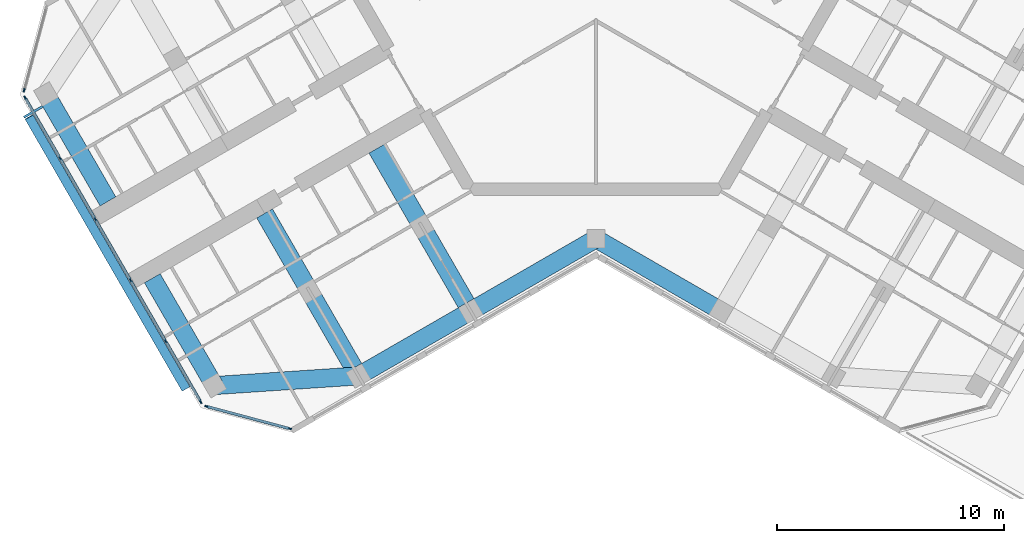
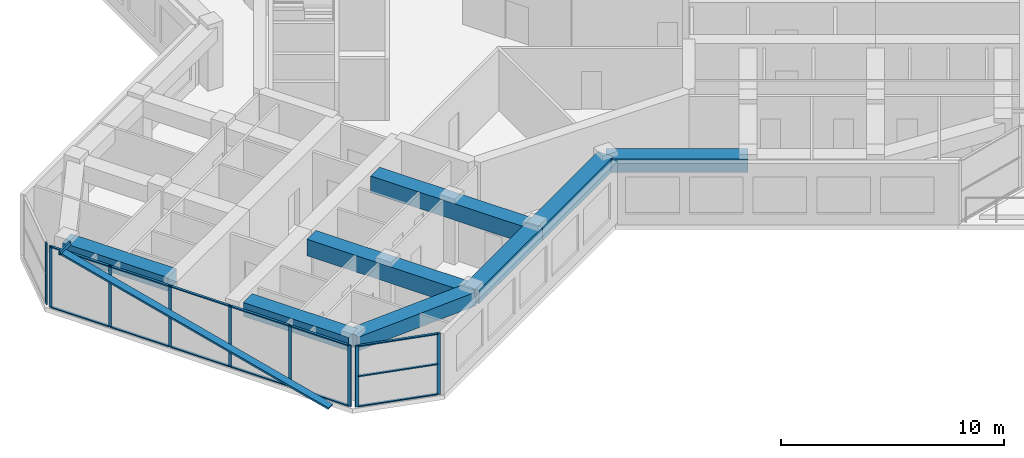
# One storey, part 2 of 14: 24 members, 8 beams, 3 elements without a shape of their own.
"""IFC4 building model written with IfcOpenShell, lengths in metres."""

from ifc_helpers import new_model, si_unit, direction, frame, origin, origin_2d, place, context, subcontext, project, spatial, rectangle, hollow_rectangle, extrude, material, material_profile, profile_set, type_object, element, aggregate, save


model = new_model("IFC4")

# Units and contexts
model_context = context("Model", 3, precision=1e-05, world=origin(), true_north=direction((0.0, 1.0)))
body_context = subcontext(model_context, "Body", "Model", "MODEL_VIEW")
ifc_project = project(units=[si_unit("LENGTHUNIT", "METRE"), si_unit("AREAUNIT", "SQUARE_METRE"), si_unit("VOLUMEUNIT", "CUBIC_METRE"), si_unit("PLANEANGLEUNIT", "RADIAN"), si_unit("MASSUNIT", "GRAM", prefix="KILO")], contexts=[model_context])

# Site, building, storey
site_placement = place(None, origin())
site = spatial("IfcSite", under=ifc_project, at=site_placement, CompositionType="ELEMENT")
building_placement = place(site_placement, origin())
building = spatial("IfcBuilding", under=site, at=building_placement, Name="Kosmar Iwan School Tower", CompositionType="ELEMENT")
storey_placement = place(building_placement, frame((0.0, 0.0, 267.39990234375)))
storey = spatial("IfcBuildingStorey", under=building, at=storey_placement, Name="L67", CompositionType="ELEMENT", Elevation=267.39990234375)

# Members
ifc_material_1 = material(Name="Black anodised aluminium", Category="aluminium")
ifc_material_profile_1 = material_profile(ifc_material_1, rectangle(XDim=0.10009765625, YDim=0.39990234375, at=origin_2d()), Name="FIN 100x400")
ifc_profile_set_1 = profile_set([ifc_material_profile_1], Name="Black anodised aluminium")
member_type_1 = type_object("IfcMemberType", Name="Diagonal fin 100x400", PredefinedType="USERDEFINED", material=ifc_profile_set_1)
member_1_placement = place(storey_placement, frame((-18.0283203125, -18.3740234375, -0.14990234375), z_axis=(-0.483800388566, 0.837965217343, 0.2524905514), x_axis=(0.126245460598, -0.218663124976, 0.96759935999)))
element("IfcMember", 1, at=member_1_placement, inside=storey, type_object=member_type_1, Name="Diagonal fin L67-F13", ObjectType="FIN", PredefinedType="USERDEFINED", context=body_context, shape_type="SweptSolid", body=[
    extrude(rectangle(XDim=0.10009765625, YDim=0.39990234375, at=origin_2d()), origin(), (0.0, 0.0, 1.0), 14.25830078125),
])
ifc_material_2 = material(Name="Steel S355", Category="steel")
ifc_material_profile_2 = material_profile(ifc_material_2, hollow_rectangle(XDim=0.10009765625, YDim=0.199951171875, WallThickness=0.008056640625, at=origin_2d()), Name="RHS 200x100x8")
ifc_profile_set_2 = profile_set([ifc_material_profile_2], Name="Steel S355")
member_type_2 = type_object("IfcMemberType", Name="Fin bracket RHS 200x100", PredefinedType="USERDEFINED", material=ifc_profile_set_2)
member_2_placement = place(storey_placement, frame((-24.327880859375, -5.962890625, 3.47509765625), z_axis=(-0.866100000774, -0.49987077196, 0.0), x_axis=(0.49987077196, -0.866100000774, 0.0)))
element("IfcMember", 2, at=member_2_placement, inside=storey, type_object=member_type_2, Name="Fin bracket L68", ObjectType="FIN BRACKET", PredefinedType="USERDEFINED", context=body_context, shape_type="SweptSolid", body=[
    extrude(hollow_rectangle(XDim=0.10009765625, YDim=0.199951171875, WallThickness=0.008056640625, at=origin_2d()), origin(), (0.0, 0.0, 1.0), 0.949951171875),
])

# Curtain wall, member
ifc_material_3 = material(Name="Dark glass in black aluminium frame", Category="aluminium")
curtain_wall_type_1 = type_object("IfcCurtainWallType", Name="Chamfer curtain wall dark glass", PredefinedType="USERDEFINED", material=ifc_material_3)
curtain_wall_1_placement = place(storey_placement, origin())
curtain_wall_1 = element("IfcCurtainWall", 3, at=curtain_wall_1_placement, inside=storey, type_object=curtain_wall_type_1, Name="Curtain wall L67-F12", ObjectType="FACETED CURTAIN WALL", PredefinedType="USERDEFINED")
ifc_material_4 = material(Name="Black anodised aluminium", Category="aluminium")
ifc_material_profile_3 = material_profile(ifc_material_4, rectangle(XDim=0.06005859375, YDim=0.159912109375, at=origin_2d()), Name="MULLION 60x160")
ifc_profile_set_3 = profile_set([ifc_material_profile_3], Name="Black anodised aluminium")
member_type_3 = type_object("IfcMemberType", Name="Mullion 60x160", PredefinedType="MULLION", material=ifc_profile_set_3)
member_3_placement = place(storey_placement, frame((-25.141845703125, -5.24853515625, 0.0), z_axis=(0.0, 0.0, 1.0), x_axis=(0.965925875495, -0.258818861462, 0.0)))
member_3 = element("IfcMember", 4, at=member_3_placement, type_object=member_type_3, Name="CW2 mullion 2", PredefinedType="MULLION", context=body_context, shape_type="SweptSolid", body=[
    extrude(rectangle(XDim=0.06005859375, YDim=0.159912109375, at=origin_2d()), origin(), (0.0, 0.0, 1.0), 3.35009765625),
])
aggregate(curtain_wall_1, [member_3])

# Curtain wall, members
ifc_material_5 = material(Name="Dark glass in black aluminium frame", Category="aluminium")
curtain_wall_type_2 = type_object("IfcCurtainWallType", Name="Tower curtain wall dark glass", PredefinedType="USERDEFINED", material=ifc_material_5)
curtain_wall_2_placement = place(storey_placement, origin())
curtain_wall_2 = element("IfcCurtainWall", 5, at=curtain_wall_2_placement, inside=storey, type_object=curtain_wall_type_2, Name="Curtain wall L67-F13", ObjectType="UNITISED CURTAIN WALL", PredefinedType="USERDEFINED")
member_4_placement = place(storey_placement, frame((-25.098388671875, -5.578369140625, 0.0), z_axis=(0.0, 0.0, 1.0), x_axis=(0.866025405329, 0.499999997325, 0.0)))
member_4 = element("IfcMember", 6, at=member_4_placement, type_object=member_type_3, Name="CW1 mullion 1", PredefinedType="MULLION", context=body_context, shape_type="SweptSolid", body=[
    extrude(rectangle(XDim=0.06005859375, YDim=0.159912109375, at=origin_2d()), origin(), (0.0, 0.0, 1.0), 3.35009765625),
])
member_5_placement = place(storey_placement, frame((-23.563720703125, -8.236328125, 0.0), z_axis=(0.0, 0.0, 1.0), x_axis=(0.866025405329, 0.499999997325, 0.0)))
member_5 = element("IfcMember", 7, at=member_5_placement, type_object=member_type_3, Name="CW1 mullion 2", PredefinedType="MULLION", context=body_context, shape_type="SweptSolid", body=[
    extrude(rectangle(XDim=0.06005859375, YDim=0.159912109375, at=origin_2d()), origin(), (0.0, 0.0, 1.0), 3.35009765625),
])
member_6_placement = place(storey_placement, frame((-22.01416015625, -10.92041015625, 0.0), z_axis=(0.0, 0.0, 1.0), x_axis=(0.866025405329, 0.499999997325, 0.0)))
member_6 = element("IfcMember", 8, at=member_6_placement, type_object=member_type_3, Name="CW1 mullion 3", PredefinedType="MULLION", context=body_context, shape_type="SweptSolid", body=[
    extrude(rectangle(XDim=0.06005859375, YDim=0.159912109375, at=origin_2d()), origin(), (0.0, 0.0, 1.0), 3.35009765625),
])
member_7_placement = place(storey_placement, frame((-20.46435546875, -13.6044921875, 0.0), z_axis=(0.0, 0.0, 1.0), x_axis=(0.866025405329, 0.499999997325, 0.0)))
member_7 = element("IfcMember", 9, at=member_7_placement, type_object=member_type_3, Name="CW1 mullion 4", PredefinedType="MULLION", context=body_context, shape_type="SweptSolid", body=[
    extrude(rectangle(XDim=0.06005859375, YDim=0.159912109375, at=origin_2d()), origin(), (0.0, 0.0, 1.0), 3.35009765625),
])
member_8_placement = place(storey_placement, frame((-18.914794921875, -16.28857421875, 0.0), z_axis=(0.0, 0.0, 1.0), x_axis=(0.866025405329, 0.499999997325, 0.0)))
member_8 = element("IfcMember", 10, at=member_8_placement, type_object=member_type_3, Name="CW1 mullion 5", PredefinedType="MULLION", context=body_context, shape_type="SweptSolid", body=[
    extrude(rectangle(XDim=0.06005859375, YDim=0.159912109375, at=origin_2d()), origin(), (0.0, 0.0, 1.0), 3.35009765625),
])
member_9_placement = place(storey_placement, frame((-17.380126953125, -18.94677734375, 0.0), z_axis=(0.0, 0.0, 1.0), x_axis=(0.866025405329, 0.499999997325, 0.0)))
member_9 = element("IfcMember", 11, at=member_9_placement, type_object=member_type_3, Name="CW1 mullion 6", PredefinedType="MULLION", context=body_context, shape_type="SweptSolid", body=[
    extrude(rectangle(XDim=0.06005859375, YDim=0.159912109375, at=origin_2d()), origin(), (0.0, 0.0, 1.0), 3.35009765625),
])

curtain_wall_3_placement = place(storey_placement, origin())
curtain_wall_3 = element("IfcCurtainWall", 12, at=curtain_wall_3_placement, inside=storey, type_object=curtain_wall_type_1, Name="Curtain wall L67-F14", ObjectType="FACETED CURTAIN WALL", PredefinedType="USERDEFINED")
member_10_placement = place(storey_placement, frame((-17.1162109375, -19.149169921875, 0.0), z_axis=(0.0, 0.0, 1.0), x_axis=(0.258818861462, 0.965925875495, 0.0)))
member_10 = element("IfcMember", 13, at=member_10_placement, type_object=member_type_3, Name="CW2 mullion 1", PredefinedType="MULLION", context=body_context, shape_type="SweptSolid", body=[
    extrude(rectangle(XDim=0.06005859375, YDim=0.159912109375, at=origin_2d()), origin(), (0.0, 0.0, 1.0), 3.35009765625),
])
member_11_placement = place(storey_placement, frame((-13.466064453125, -20.127197265625, 0.0), z_axis=(0.0, 0.0, 1.0), x_axis=(0.258818861462, 0.965925875495, 0.0)))
member_11 = element("IfcMember", 14, at=member_11_placement, type_object=member_type_3, Name="CW2 mullion 2", PredefinedType="MULLION", context=body_context, shape_type="SweptSolid", body=[
    extrude(rectangle(XDim=0.06005859375, YDim=0.159912109375, at=origin_2d()), origin(), (0.0, 0.0, 1.0), 3.35009765625),
])

# Beams
ifc_material_6 = material(Name="Concrete C50/60", Category="concrete")
ifc_material_profile_4 = material_profile(ifc_material_6, rectangle(XDim=0.800048828125, YDim=0.75, at=origin_2d()), Name="RC 800x750")
ifc_profile_set_4 = profile_set([ifc_material_profile_4], Name="Concrete C50/60")
beam_type_1 = type_object("IfcBeamType", Name="RC edge beam 800x750", PredefinedType="BEAM", material=ifc_profile_set_4)
beam_1_placement = place(storey_placement, frame((0.0, -11.77783203125, 2.97509765625), z_axis=(-0.866014293216, -0.500019243575, 0.0), x_axis=(0.500019243575, -0.866014293216, 0.0)))
element("IfcBeam", 15, at=beam_1_placement, inside=storey, type_object=beam_type_1, Name="Edge beam BL1", PredefinedType="BEAM", context=body_context, shape_type="SweptSolid", body=[
    extrude(rectangle(XDim=0.800048828125, YDim=0.75, at=origin_2d()), origin(), (0.0, 0.0, 1.0), 6.361083984375),
])
beam_2_placement = place(storey_placement, frame((-5.5087890625, -14.95849609375, 2.97509765625), z_axis=(-0.866033658841, -0.49998570155, 0.0), x_axis=(0.49998570155, -0.866033658841, 0.0)))
element("IfcBeam", 16, at=beam_2_placement, inside=storey, type_object=beam_type_1, Name="Edge beam BL2", PredefinedType="BEAM", context=body_context, shape_type="SweptSolid", body=[
    extrude(rectangle(XDim=0.800048828125, YDim=0.75, at=origin_2d()), origin(), (0.0, 0.0, 1.0), 5.699951171875),
])
beam_3_placement = place(storey_placement, frame((0.0, -11.77783203125, 2.97509765625), z_axis=(0.866014293216, -0.500019243575, 0.0), x_axis=(0.500019243575, 0.866014293216, 0.0)))
element("IfcBeam", 17, at=beam_3_placement, inside=storey, type_object=beam_type_1, Name="Edge beam CR1", PredefinedType="BEAM", context=body_context, shape_type="SweptSolid", body=[
    extrude(rectangle(XDim=0.800048828125, YDim=0.75, at=origin_2d()), origin(), (0.0, 0.0, 1.0), 6.361083984375),
])
ifc_material_7 = material(Name="Concrete C50/60", Category="concrete")
ifc_material_profile_5 = material_profile(ifc_material_7, rectangle(XDim=0.800048828125, YDim=0.75, at=origin_2d()), Name="RC 800x750")
ifc_profile_set_5 = profile_set([ifc_material_profile_5], Name="Concrete C50/60")
beam_type_2 = type_object("IfcBeamType", Name="RC tip beam 800x750", PredefinedType="BEAM", material=ifc_profile_set_5)
beam_4_placement = place(storey_placement, frame((-10.445068359375, -17.808349609375, 2.97509765625), z_axis=(-0.997755118724, -0.066968074933, 0.0), x_axis=(0.066968074933, -0.997755118724, 0.0)))
element("IfcBeam", 18, at=beam_4_placement, inside=storey, type_object=beam_type_2, Name="Tip beam BL", PredefinedType="BEAM", context=body_context, shape_type="SweptSolid", body=[
    extrude(rectangle(XDim=0.800048828125, YDim=0.75, at=origin_2d()), origin(), (0.0, 0.0, 1.0), 6.3505859375),
])
beam_5_placement = place(storey_placement, frame((-16.781494140625, -18.233642578125, 2.97509765625), z_axis=(-0.500002931134, 0.866023711487, 0.0), x_axis=(-0.866023711487, -0.500002931134, 0.0)))
element("IfcBeam", 19, at=beam_5_placement, inside=storey, type_object=beam_type_2, Name="Tip beam BL to corridor wall", PredefinedType="BEAM", context=body_context, shape_type="SweptSolid", body=[
    extrude(rectangle(XDim=0.800048828125, YDim=0.75, at=origin_2d()), origin(), (0.0, 0.0, 1.0), 5.4501953125),
])
beam_6_placement = place(storey_placement, frame((-24.181396484375, -5.41650390625, 2.97509765625), z_axis=(0.499988730927, -0.866031909889, 0.0), x_axis=(0.866031909889, 0.499988730927, 0.0)))
element("IfcBeam", 20, at=beam_6_placement, inside=storey, type_object=beam_type_2, Name="Tip beam BR to corridor wall", PredefinedType="BEAM", context=body_context, shape_type="SweptSolid", body=[
    extrude(rectangle(XDim=0.800048828125, YDim=0.75, at=origin_2d()), origin(), (0.0, 0.0, 1.0), 5.449951171875),
])
ifc_material_8 = material(Name="Concrete C50/60", Category="concrete")
ifc_material_profile_6 = material_profile(ifc_material_8, rectangle(XDim=0.800048828125, YDim=0.89990234375, at=origin_2d()), Name="RC 800x900")
ifc_profile_set_6 = profile_set([ifc_material_profile_6], Name="Concrete C50/60")
beam_type_3 = type_object("IfcBeamType", Name="RC transverse beam 800x900", PredefinedType="BEAM", material=ifc_profile_set_6)
beam_7_placement = place(storey_placement, frame((-5.5087890625, -14.95849609375, 2.900146484375), z_axis=(-0.499996545922, 0.866027397988, 0.0), x_axis=(-0.866027397988, -0.499996545922, 0.0)))
element("IfcBeam", 21, at=beam_7_placement, inside=storey, type_object=beam_type_3, Name="Transverse beam BL1", PredefinedType="BEAM", context=body_context, shape_type="SweptSolid", body=[
    extrude(rectangle(XDim=0.800048828125, YDim=0.89990234375, at=origin_2d()), origin(), (0.0, 0.0, 1.0), 8.25),
])
beam_8_placement = place(storey_placement, frame((-10.445068359375, -17.808349609375, 2.900146484375), z_axis=(-0.500009360108, 0.866019999656, 0.0), x_axis=(-0.866019999656, -0.500009360108, 0.0)))
element("IfcBeam", 22, at=beam_8_placement, inside=storey, type_object=beam_type_3, Name="Transverse beam BL2", PredefinedType="BEAM", context=body_context, shape_type="SweptSolid", body=[
    extrude(rectangle(XDim=0.800048828125, YDim=0.89990234375, at=origin_2d()), origin(), (0.0, 0.0, 1.0), 8.249755859375),
])

# Member
ifc_material_9 = material(Name="Black anodised aluminium", Category="aluminium")
ifc_material_profile_7 = material_profile(ifc_material_9, rectangle(XDim=0.1201171875, YDim=0.06005859375, at=origin_2d()), Name="TRANSOM 60x120")
ifc_profile_set_7 = profile_set([ifc_material_profile_7], Name="Black anodised aluminium")
member_type_4 = type_object("IfcMemberType", Name="Transom 60x120", PredefinedType="USERDEFINED", material=ifc_profile_set_7)
member_12_placement = place(storey_placement, frame((-25.08349609375, -5.604248046875, 0.030029296875), z_axis=(0.499986971506, -0.866032925658, 0.0), x_axis=(0.866032925658, 0.499986971506, 0.0)))
member_12 = element("IfcMember", 23, at=member_12_placement, type_object=member_type_4, Name="CW1 transom 1.1", ObjectType="TRANSOM", PredefinedType="USERDEFINED", context=body_context, shape_type="SweptSolid", body=[
    extrude(rectangle(XDim=0.1201171875, YDim=0.06005859375, at=origin_2d()), origin(), (0.0, 0.0, 1.0), 3.00927734375),
])

member_13_placement = place(storey_placement, frame((-25.08349609375, -5.604248046875, 3.320068359375), z_axis=(0.499986971506, -0.866032925658, 0.0), x_axis=(0.866032925658, 0.499986971506, 0.0)))
member_13 = element("IfcMember", 24, at=member_13_placement, type_object=member_type_4, Name="CW1 transom 1.2", ObjectType="TRANSOM", PredefinedType="USERDEFINED", context=body_context, shape_type="SweptSolid", body=[
    extrude(rectangle(XDim=0.1201171875, YDim=0.06005859375, at=origin_2d()), origin(), (0.0, 0.0, 1.0), 3.00927734375),
])

member_14_placement = place(storey_placement, frame((-23.548828125, -8.262451171875, 0.030029296875), z_axis=(0.500035348339, -0.866004994449, 0.0), x_axis=(0.866004994449, 0.500035348339, 0.0)))
member_14 = element("IfcMember", 25, at=member_14_placement, type_object=member_type_4, Name="CW1 transom 2.1", ObjectType="TRANSOM", PredefinedType="USERDEFINED", context=body_context, shape_type="SweptSolid", body=[
    extrude(rectangle(XDim=0.1201171875, YDim=0.06005859375, at=origin_2d()), origin(), (0.0, 0.0, 1.0), 3.039306640625),
])

member_15_placement = place(storey_placement, frame((-23.548828125, -8.262451171875, 3.320068359375), z_axis=(0.500035348339, -0.866004994449, 0.0), x_axis=(0.866004994449, 0.500035348339, 0.0)))
member_15 = element("IfcMember", 26, at=member_15_placement, type_object=member_type_4, Name="CW1 transom 2.2", ObjectType="TRANSOM", PredefinedType="USERDEFINED", context=body_context, shape_type="SweptSolid", body=[
    extrude(rectangle(XDim=0.1201171875, YDim=0.06005859375, at=origin_2d()), origin(), (0.0, 0.0, 1.0), 3.039306640625),
])

member_16_placement = place(storey_placement, frame((-21.9990234375, -10.946533203125, 0.030029296875), z_axis=(0.499975102327, -0.866039777986, 0.0), x_axis=(0.866039777986, 0.499975102327, 0.0)))
member_16 = element("IfcMember", 27, at=member_16_placement, type_object=member_type_4, Name="CW1 transom 3.1", ObjectType="TRANSOM", PredefinedType="USERDEFINED", context=body_context, shape_type="SweptSolid", body=[
    extrude(rectangle(XDim=0.1201171875, YDim=0.06005859375, at=origin_2d()), origin(), (0.0, 0.0, 1.0), 3.039306640625),
])

member_17_placement = place(storey_placement, frame((-21.9990234375, -10.946533203125, 3.320068359375), z_axis=(0.499975102327, -0.866039777986, 0.0), x_axis=(0.866039777986, 0.499975102327, 0.0)))
member_17 = element("IfcMember", 28, at=member_17_placement, type_object=member_type_4, Name="CW1 transom 3.2", ObjectType="TRANSOM", PredefinedType="USERDEFINED", context=body_context, shape_type="SweptSolid", body=[
    extrude(rectangle(XDim=0.1201171875, YDim=0.06005859375, at=origin_2d()), origin(), (0.0, 0.0, 1.0), 3.039306640625),
])

member_18_placement = place(storey_placement, frame((-20.449462890625, -13.630615234375, 0.030029296875), z_axis=(0.500035348339, -0.866004994449, 0.0), x_axis=(0.866004994449, 0.500035348339, 0.0)))
member_18 = element("IfcMember", 29, at=member_18_placement, type_object=member_type_4, Name="CW1 transom 4.1", ObjectType="TRANSOM", PredefinedType="USERDEFINED", context=body_context, shape_type="SweptSolid", body=[
    extrude(rectangle(XDim=0.1201171875, YDim=0.06005859375, at=origin_2d()), origin(), (0.0, 0.0, 1.0), 3.039306640625),
])

member_19_placement = place(storey_placement, frame((-20.449462890625, -13.630615234375, 3.320068359375), z_axis=(0.500035348339, -0.866004994449, 0.0), x_axis=(0.866004994449, 0.500035348339, 0.0)))
member_19 = element("IfcMember", 30, at=member_19_placement, type_object=member_type_4, Name="CW1 transom 4.2", ObjectType="TRANSOM", PredefinedType="USERDEFINED", context=body_context, shape_type="SweptSolid", body=[
    extrude(rectangle(XDim=0.1201171875, YDim=0.06005859375, at=origin_2d()), origin(), (0.0, 0.0, 1.0), 3.039306640625),
])

member_20_placement = place(storey_placement, frame((-18.89990234375, -16.314697265625, 0.030029296875), z_axis=(0.500022102064, -0.866012642776, 0.0), x_axis=(0.866012642776, 0.500022102064, 0.0)))
member_20 = element("IfcMember", 31, at=member_20_placement, type_object=member_type_4, Name="CW1 transom 5.1", ObjectType="TRANSOM", PredefinedType="USERDEFINED", context=body_context, shape_type="SweptSolid", body=[
    extrude(rectangle(XDim=0.1201171875, YDim=0.06005859375, at=origin_2d()), origin(), (0.0, 0.0, 1.0), 3.009033203125),
])

member_21_placement = place(storey_placement, frame((-18.89990234375, -16.314697265625, 3.320068359375), z_axis=(0.500022102064, -0.866012642776, 0.0), x_axis=(0.866012642776, 0.500022102064, 0.0)))
member_21 = element("IfcMember", 32, at=member_21_placement, type_object=member_type_4, Name="CW1 transom 5.2", ObjectType="TRANSOM", PredefinedType="USERDEFINED", context=body_context, shape_type="SweptSolid", body=[
    extrude(rectangle(XDim=0.1201171875, YDim=0.06005859375, at=origin_2d()), origin(), (0.0, 0.0, 1.0), 3.009033203125),
])

aggregate(curtain_wall_2, [member_4, member_5, member_6, member_7, member_8, member_9, member_12, member_13, member_14, member_15, member_16, member_17, member_18, member_19, member_20, member_21])

member_22_placement = place(storey_placement, frame((-17.08740234375, -19.156982421875, 0.030029296875), z_axis=(0.965940141052, -0.258765615768, 0.0), x_axis=(0.258765615768, 0.965940141052, 0.0)))
member_22 = element("IfcMember", 33, at=member_22_placement, type_object=member_type_4, Name="CW2 transom 1.1", ObjectType="TRANSOM", PredefinedType="USERDEFINED", context=body_context, shape_type="SweptSolid", body=[
    extrude(rectangle(XDim=0.1201171875, YDim=0.06005859375, at=origin_2d()), origin(), (0.0, 0.0, 1.0), 3.71923828125),
])

member_23_placement = place(storey_placement, frame((-17.08740234375, -19.156982421875, 1.675048828125), z_axis=(0.965940141052, -0.258765615768, 0.0), x_axis=(0.258765615768, 0.965940141052, 0.0)))
member_23 = element("IfcMember", 34, at=member_23_placement, type_object=member_type_4, Name="CW2 transom 1.2", ObjectType="TRANSOM", PredefinedType="USERDEFINED", context=body_context, shape_type="SweptSolid", body=[
    extrude(rectangle(XDim=0.1201171875, YDim=0.06005859375, at=origin_2d()), origin(), (0.0, 0.0, 1.0), 3.71923828125),
])

member_24_placement = place(storey_placement, frame((-17.08740234375, -19.156982421875, 3.320068359375), z_axis=(0.965940141052, -0.258765615768, 0.0), x_axis=(0.258765615768, 0.965940141052, 0.0)))
member_24 = element("IfcMember", 35, at=member_24_placement, type_object=member_type_4, Name="CW2 transom 1.3", ObjectType="TRANSOM", PredefinedType="USERDEFINED", context=body_context, shape_type="SweptSolid", body=[
    extrude(rectangle(XDim=0.1201171875, YDim=0.06005859375, at=origin_2d()), origin(), (0.0, 0.0, 1.0), 3.71923828125),
])

aggregate(curtain_wall_3, [member_10, member_11, member_22, member_23, member_24])

save(model, "model.ifc")
